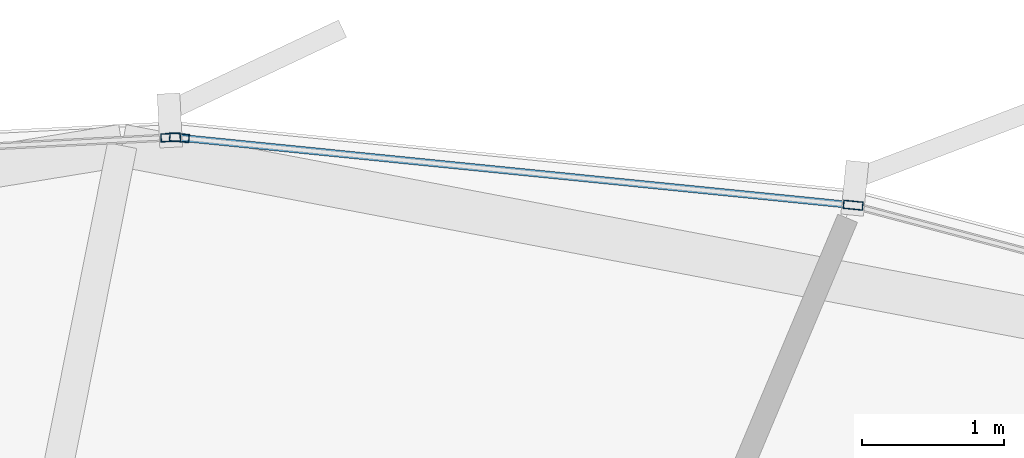
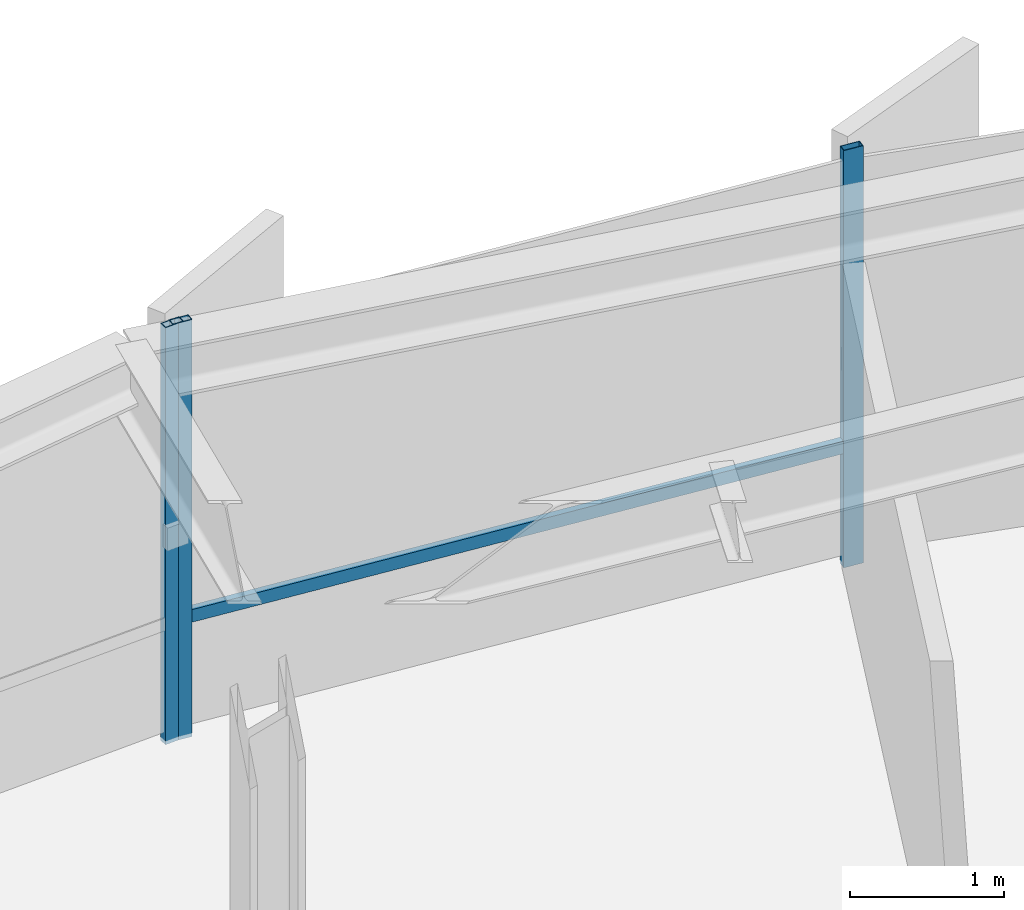
# One storey, part 26 of 34: 4 members, 2 elements without a shape of their own.
"""IFC4 building model written with IfcOpenShell, lengths in metres."""

from ifc_helpers import new_model, si_unit, direction, frame, origin, origin_2d, place, context, subcontext, project, spatial, hollow_rectangle, extrude, source, transform, mapped, material, layer, layer_set, material_profile, profile_set, type_object, element, aggregate, save


model = new_model("IFC4")

# Units and contexts
model_context = context("Model", 3, precision=1e-05, world=origin(), true_north=direction((0.0, 1.0)))
body_context = subcontext(model_context, "Body", "Model", "MODEL_VIEW")
ifc_project = project(units=[si_unit("LENGTHUNIT", "METRE"), si_unit("AREAUNIT", "SQUARE_METRE"), si_unit("VOLUMEUNIT", "CUBIC_METRE"), si_unit("PLANEANGLEUNIT", "RADIAN"), si_unit("MASSUNIT", "GRAM", prefix="KILO"), si_unit("THERMODYNAMICTEMPERATUREUNIT", "KELVIN")], contexts=[model_context])

# Site, building, storey
site_placement = place(None, origin())
site = spatial("IfcSite", under=ifc_project, at=site_placement, CompositionType="ELEMENT")
building_placement = place(site_placement, origin())
building = spatial("IfcBuilding", under=site, at=building_placement, Name="Kethvar Cultural Tower", CompositionType="ELEMENT")
storey_placement = place(building_placement, frame((0.0, 0.0, 128.800048828125)))
storey = spatial("IfcBuildingStorey", under=building, at=storey_placement, Name="L32", CompositionType="ELEMENT", Elevation=128.800048828125)

# Curtain wall, members
ifc_material = material(Name="Aluminium 6063-T6", Category="aluminium")
ifc_layer = layer(ifc_material, 0.179931640625, Name="Aluminium 6063-T6", Category="aluminium")
ifc_layer_set = layer_set([ifc_layer], Name="Aluminium 6063-T6 (180 mm)")
curtain_wall_type = type_object("IfcCurtainWallType", Name="CW-SYS-04-Z34", PredefinedType="NOTDEFINED", material=ifc_layer_set)
curtain_wall_1_placement = place(storey_placement, origin())
curtain_wall_1 = element("IfcCurtainWall", 1, at=curtain_wall_1_placement, inside=storey, type_object=curtain_wall_type, Name="L32 Curtain Wall Run 01", PredefinedType="NOTDEFINED")
ifc_material_profile_1 = material_profile(ifc_material, hollow_rectangle(XDim=0.06005859375, YDim=0.139892578125, WallThickness=0.0048828125, at=origin_2d()), Name="Aluminium 6063-T6 — RHS140x60x5")
ifc_profile_set_1 = profile_set([ifc_material_profile_1], Name="Aluminium 6063-T6 — RHS140x60x5")
member_type_1 = type_object("IfcMemberType", Name="CW-SYS-04-Z34-MUL", PredefinedType="MULLION", material=ifc_profile_set_1)
shared_shape_1 = source(origin(), body_context, "Body", "SweptSolid", [
    extrude(hollow_rectangle(XDim=0.06005859375, YDim=0.139892578125, WallThickness=0.0048828125, at=origin_2d()), origin(), (0.0, 0.0, 1.0), 3.300048828125),
])
member_1_placement = place(storey_placement, frame((56.758056640625, 51.54833984375, 0.0), z_axis=(0.0, 0.0, 1.0), x_axis=(-0.099736548921, -0.995013879707, 0.0)))
member_1 = element("IfcMember", 2, at=member_1_placement, type_object=member_type_1, Name="CW-L32-R01 Mullion 6", PredefinedType="MULLION", context=body_context, shape_type="MappedRepresentation", body=[
    mapped(shared_shape_1, transform((0.0, 0.0, 0.0), scale=1.0)),
])
member_2_placement = place(storey_placement, frame((52.010986328125, 52.024169921875, 0.0), z_axis=(0.0, 0.0, 1.0), x_axis=(-0.099736548921, -0.995013879707, 0.0)))
member_2 = element("IfcMember", 3, at=member_2_placement, type_object=member_type_1, Name="CW-L32-R01 Mullion 7", PredefinedType="MULLION", context=body_context, shape_type="MappedRepresentation", body=[
    mapped(shared_shape_1, transform((0.0, 0.0, 0.0), scale=1.0)),
])

# Curtain wall, member
curtain_wall_2_placement = place(storey_placement, origin())
curtain_wall_2 = element("IfcCurtainWall", 4, at=curtain_wall_2_placement, inside=storey, type_object=curtain_wall_type, Name="L32 Curtain Wall Run 02", PredefinedType="NOTDEFINED")
member_3_placement = place(storey_placement, frame((51.94970703125, 52.025634765625, 0.0), z_axis=(0.0, 0.0, 1.0), x_axis=(0.049581919744, -0.998770060241, 0.0)))
member_3 = element("IfcMember", 5, at=member_3_placement, type_object=member_type_1, Name="CW-L32-R02 Mullion 1", PredefinedType="MULLION", context=body_context, shape_type="MappedRepresentation", body=[
    mapped(shared_shape_1, transform((0.0, 0.0, 0.0), scale=1.0)),
])
aggregate(curtain_wall_2, [member_3])

# Member
ifc_material_profile_2 = material_profile(ifc_material, hollow_rectangle(XDim=0.050048828125, YDim=0.10009765625, WallThickness=0.00390625, at=origin_2d()), Name="Aluminium 6063-T6 — RHS100x50x4")
ifc_profile_set_2 = profile_set([ifc_material_profile_2], Name="Aluminium 6063-T6 — RHS100x50x4")
member_type_2 = type_object("IfcMemberType", Name="CW-SYS-04-Z34-TRN", PredefinedType="USERDEFINED", material=ifc_profile_set_2)
shared_shape_2 = source(origin(), body_context, "Body", "SweptSolid", [
    extrude(hollow_rectangle(XDim=0.050048828125, YDim=0.10009765625, WallThickness=0.00390625, at=origin_2d()), origin(), (0.0, 0.0, 1.0), 4.723388671875),
])
member_4_placement = place(storey_placement, frame((56.715087890625, 51.552734375, 0.949951171875), z_axis=(-0.995017212033, 0.099703298634, 0.0), x_axis=(-0.099703298634, -0.995017212033, 0.0)))
member_4 = element("IfcMember", 6, at=member_4_placement, type_object=member_type_2, Name="CW-L32-R01 Transom 6", ObjectType="TRANSOM", PredefinedType="USERDEFINED", context=body_context, shape_type="MappedRepresentation", body=[
    mapped(shared_shape_2, transform((0.0, 0.0, 0.0), scale=1.0)),
])

aggregate(curtain_wall_1, [member_1, member_2, member_4])

save(model, "model.ifc")
